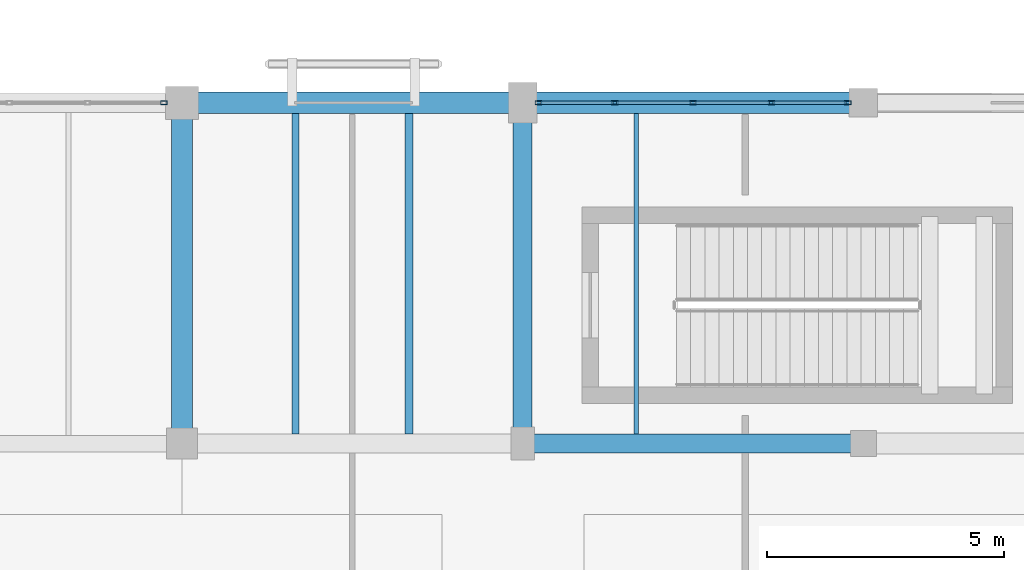
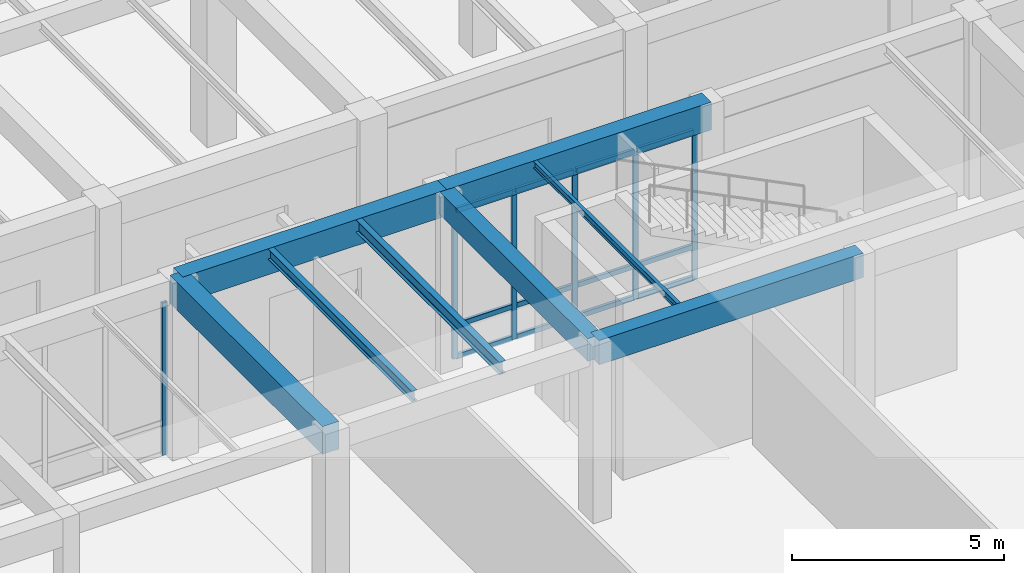
# One storey, part 89 of 169: 18 members, 8 beams, 2 elements without a shape of their own.
"""IFC4 building model written with IfcOpenShell, lengths in metres."""

from ifc_helpers import new_model, si_unit, direction, frame, origin, origin_2d, place, context, subcontext, project, spatial, rectangle, hollow_rectangle, i_section, extrude, material, layer, layer_set, material_profile, profile_set, type_object, element, aggregate, save


model = new_model("IFC4")

# Units and contexts
model_context = context("Model", 3, precision=1e-05, world=origin(), true_north=direction((0.0, 1.0)))
body_context = subcontext(model_context, "Body", "Model", "MODEL_VIEW")
ifc_project = project(units=[si_unit("LENGTHUNIT", "METRE"), si_unit("AREAUNIT", "SQUARE_METRE"), si_unit("VOLUMEUNIT", "CUBIC_METRE"), si_unit("PLANEANGLEUNIT", "RADIAN"), si_unit("MASSUNIT", "GRAM", prefix="KILO")], contexts=[model_context])

# Site, building, storey
site_placement = place(None, origin())
site = spatial("IfcSite", under=ifc_project, at=site_placement, CompositionType="ELEMENT")
building_placement = place(site_placement, origin())
building = spatial("IfcBuilding", under=site, at=building_placement, Name="Mazaris Harbour Polytechnic", CompositionType="ELEMENT")
storey_placement = place(building_placement, origin())
storey = spatial("IfcBuildingStorey", under=building, at=storey_placement, Name="L00", CompositionType="ELEMENT", Elevation=0.0)

# Curtain wall, member
ifc_material_1 = material(Name="Anodised Bronze Aluminium and Low-E Glass", Category="aluminium")
ifc_layer = layer(ifc_material_1, 0.159912109375, Name="Anodised Bronze Aluminium and Low-E Glass")
ifc_layer_set = layer_set([ifc_layer], Name="Anodised Bronze Aluminium and Low-E Glass")
curtain_wall_type = type_object("IfcCurtainWallType", Name="Cloister Court Curtain Wall", PredefinedType="NOTDEFINED", material=ifc_layer_set)
curtain_wall_1_placement = place(storey_placement, origin())
curtain_wall_1 = element("IfcCurtainWall", 1, at=curtain_wall_1_placement, inside=storey, type_object=curtain_wall_type, Name="V2 L00 Curtain Wall 38", PredefinedType="NOTDEFINED")
ifc_material_2 = material(Name="Anodised Bronze Steel S355", Category="steel")
ifc_material_profile_1 = material_profile(ifc_material_2, hollow_rectangle(XDim=0.080078125, YDim=0.139892578125, WallThickness=0.00634765625, at=origin_2d()), Name="RHS 80x140x6.3")
ifc_profile_set_1 = profile_set([ifc_material_profile_1], Name="Anodised Bronze Steel S355")
member_type_1 = type_object("IfcMemberType", Name="Curtain Mullion RHS80x140", PredefinedType="MULLION", material=ifc_profile_set_1)
member_1_placement = place(storey_placement, frame((143.617919921875, 43.199951171875, 0.0), z_axis=(0.0, 0.0, 1.0), x_axis=(0.0, 1.0, 0.0)))
member_1 = element("IfcMember", 2, at=member_1_placement, type_object=member_type_1, Name="CW-02 mullion 5", PredefinedType="MULLION", context=body_context, shape_type="SweptSolid", body=[
    extrude(hollow_rectangle(XDim=0.080078125, YDim=0.139892578125, WallThickness=0.00634765625, at=origin_2d()), origin(), (0.0, 0.0, 1.0), 4.389892578125),
])
aggregate(curtain_wall_1, [member_1])

# Curtain wall, members
curtain_wall_2_placement = place(storey_placement, origin())
curtain_wall_2 = element("IfcCurtainWall", 3, at=curtain_wall_2_placement, inside=storey, type_object=curtain_wall_type, Name="V2 L00 Curtain Wall 39", PredefinedType="NOTDEFINED")
member_2_placement = place(storey_placement, frame((151.531982421875, 43.199951171875, 0.0), z_axis=(0.0, 0.0, 1.0), x_axis=(0.0, 1.0, 0.0)))
member_2 = element("IfcMember", 4, at=member_2_placement, type_object=member_type_1, Name="CW-02 mullion 1", PredefinedType="MULLION", context=body_context, shape_type="SweptSolid", body=[
    extrude(hollow_rectangle(XDim=0.080078125, YDim=0.139892578125, WallThickness=0.00634765625, at=origin_2d()), origin(), (0.0, 0.0, 1.0), 4.2900390625),
])
member_3_placement = place(storey_placement, frame((153.14599609375, 43.199951171875, 0.0), z_axis=(0.0, 0.0, 1.0), x_axis=(0.0, 1.0, 0.0)))
member_3 = element("IfcMember", 5, at=member_3_placement, type_object=member_type_1, Name="CW-02 mullion 2", PredefinedType="MULLION", context=body_context, shape_type="SweptSolid", body=[
    extrude(hollow_rectangle(XDim=0.080078125, YDim=0.139892578125, WallThickness=0.00634765625, at=origin_2d()), origin(), (0.0, 0.0, 1.0), 4.2900390625),
])
member_4_placement = place(storey_placement, frame((154.800048828125, 43.199951171875, 0.0), z_axis=(0.0, 0.0, 1.0), x_axis=(0.0, 1.0, 0.0)))
member_4 = element("IfcMember", 6, at=member_4_placement, type_object=member_type_1, Name="CW-02 mullion 3", PredefinedType="MULLION", context=body_context, shape_type="SweptSolid", body=[
    extrude(hollow_rectangle(XDim=0.080078125, YDim=0.139892578125, WallThickness=0.00634765625, at=origin_2d()), origin(), (0.0, 0.0, 1.0), 4.2900390625),
])
member_5_placement = place(storey_placement, frame((156.4541015625, 43.199951171875, 0.0), z_axis=(0.0, 0.0, 1.0), x_axis=(0.0, 1.0, 0.0)))
member_5 = element("IfcMember", 7, at=member_5_placement, type_object=member_type_1, Name="CW-02 mullion 4", PredefinedType="MULLION", context=body_context, shape_type="SweptSolid", body=[
    extrude(hollow_rectangle(XDim=0.080078125, YDim=0.139892578125, WallThickness=0.00634765625, at=origin_2d()), origin(), (0.0, 0.0, 1.0), 4.2900390625),
])
member_6_placement = place(storey_placement, frame((158.068115234375, 43.199951171875, 0.0), z_axis=(0.0, 0.0, 1.0), x_axis=(0.0, 1.0, 0.0)))
member_6 = element("IfcMember", 8, at=member_6_placement, type_object=member_type_1, Name="CW-02 mullion 5", PredefinedType="MULLION", context=body_context, shape_type="SweptSolid", body=[
    extrude(hollow_rectangle(XDim=0.080078125, YDim=0.139892578125, WallThickness=0.00634765625, at=origin_2d()), origin(), (0.0, 0.0, 1.0), 4.2900390625),
])
ifc_material_3 = material(Name="Anodised Bronze Steel S355", Category="steel")
ifc_material_profile_2 = material_profile(ifc_material_3, hollow_rectangle(XDim=0.080078125, YDim=0.139892578125, WallThickness=0.00634765625, at=origin_2d()), Name="RHS 80x140x6.3")
ifc_profile_set_2 = profile_set([ifc_material_profile_2], Name="Anodised Bronze Steel S355")
member_type_2 = type_object("IfcMemberType", Name="Curtain Transom RHS80x140", PredefinedType="USERDEFINED", material=ifc_profile_set_2)
member_7_placement = place(storey_placement, frame((151.572021484375, 43.199951171875, 0.0400390625), z_axis=(1.0, 0.0, 0.0), x_axis=(0.0, 1.0, 0.0)))
member_7 = element("IfcMember", 9, at=member_7_placement, type_object=member_type_2, Name="CW-02 transom 1.1", ObjectType="TRANSOM", PredefinedType="USERDEFINED", context=body_context, shape_type="SweptSolid", body=[
    extrude(hollow_rectangle(XDim=0.080078125, YDim=0.139892578125, WallThickness=0.00634765625, at=origin_2d()), origin(), (0.0, 0.0, 1.0), 1.533935546875),
])
member_8_placement = place(storey_placement, frame((151.572021484375, 43.199951171875, 0.949951171875), z_axis=(1.0, 0.0, 0.0), x_axis=(0.0, 1.0, 0.0)))
member_8 = element("IfcMember", 10, at=member_8_placement, type_object=member_type_2, Name="CW-02 transom 1.2", ObjectType="TRANSOM", PredefinedType="USERDEFINED", context=body_context, shape_type="SweptSolid", body=[
    extrude(hollow_rectangle(XDim=0.080078125, YDim=0.139892578125, WallThickness=0.00634765625, at=origin_2d()), origin(), (0.0, 0.0, 1.0), 1.533935546875),
])
member_9_placement = place(storey_placement, frame((151.572021484375, 43.199951171875, 4.25), z_axis=(1.0, 0.0, 0.0), x_axis=(0.0, 1.0, 0.0)))
member_9 = element("IfcMember", 11, at=member_9_placement, type_object=member_type_2, Name="CW-02 transom 1.3", ObjectType="TRANSOM", PredefinedType="USERDEFINED", context=body_context, shape_type="SweptSolid", body=[
    extrude(hollow_rectangle(XDim=0.080078125, YDim=0.139892578125, WallThickness=0.00634765625, at=origin_2d()), origin(), (0.0, 0.0, 1.0), 1.533935546875),
])
member_10_placement = place(storey_placement, frame((153.18603515625, 43.199951171875, 0.0400390625), z_axis=(1.0, 0.0, 0.0), x_axis=(0.0, 1.0, 0.0)))
member_10 = element("IfcMember", 12, at=member_10_placement, type_object=member_type_2, Name="CW-02 transom 2.1", ObjectType="TRANSOM", PredefinedType="USERDEFINED", context=body_context, shape_type="SweptSolid", body=[
    extrude(hollow_rectangle(XDim=0.080078125, YDim=0.139892578125, WallThickness=0.00634765625, at=origin_2d()), origin(), (0.0, 0.0, 1.0), 1.573974609375),
])
member_11_placement = place(storey_placement, frame((153.18603515625, 43.199951171875, 0.949951171875), z_axis=(1.0, 0.0, 0.0), x_axis=(0.0, 1.0, 0.0)))
member_11 = element("IfcMember", 13, at=member_11_placement, type_object=member_type_2, Name="CW-02 transom 2.2", ObjectType="TRANSOM", PredefinedType="USERDEFINED", context=body_context, shape_type="SweptSolid", body=[
    extrude(hollow_rectangle(XDim=0.080078125, YDim=0.139892578125, WallThickness=0.00634765625, at=origin_2d()), origin(), (0.0, 0.0, 1.0), 1.573974609375),
])
member_12_placement = place(storey_placement, frame((153.18603515625, 43.199951171875, 4.25), z_axis=(1.0, 0.0, 0.0), x_axis=(0.0, 1.0, 0.0)))
member_12 = element("IfcMember", 14, at=member_12_placement, type_object=member_type_2, Name="CW-02 transom 2.3", ObjectType="TRANSOM", PredefinedType="USERDEFINED", context=body_context, shape_type="SweptSolid", body=[
    extrude(hollow_rectangle(XDim=0.080078125, YDim=0.139892578125, WallThickness=0.00634765625, at=origin_2d()), origin(), (0.0, 0.0, 1.0), 1.573974609375),
])
member_13_placement = place(storey_placement, frame((154.840087890625, 43.199951171875, 0.0400390625), z_axis=(1.0, 0.0, 0.0), x_axis=(0.0, 1.0, 0.0)))
member_13 = element("IfcMember", 15, at=member_13_placement, type_object=member_type_2, Name="CW-02 transom 3.1", ObjectType="TRANSOM", PredefinedType="USERDEFINED", context=body_context, shape_type="SweptSolid", body=[
    extrude(hollow_rectangle(XDim=0.080078125, YDim=0.139892578125, WallThickness=0.00634765625, at=origin_2d()), origin(), (0.0, 0.0, 1.0), 1.573974609375),
])
member_14_placement = place(storey_placement, frame((154.840087890625, 43.199951171875, 0.949951171875), z_axis=(1.0, 0.0, 0.0), x_axis=(0.0, 1.0, 0.0)))
member_14 = element("IfcMember", 16, at=member_14_placement, type_object=member_type_2, Name="CW-02 transom 3.2", ObjectType="TRANSOM", PredefinedType="USERDEFINED", context=body_context, shape_type="SweptSolid", body=[
    extrude(hollow_rectangle(XDim=0.080078125, YDim=0.139892578125, WallThickness=0.00634765625, at=origin_2d()), origin(), (0.0, 0.0, 1.0), 1.573974609375),
])
member_15_placement = place(storey_placement, frame((154.840087890625, 43.199951171875, 4.25), z_axis=(1.0, 0.0, 0.0), x_axis=(0.0, 1.0, 0.0)))
member_15 = element("IfcMember", 17, at=member_15_placement, type_object=member_type_2, Name="CW-02 transom 3.3", ObjectType="TRANSOM", PredefinedType="USERDEFINED", context=body_context, shape_type="SweptSolid", body=[
    extrude(hollow_rectangle(XDim=0.080078125, YDim=0.139892578125, WallThickness=0.00634765625, at=origin_2d()), origin(), (0.0, 0.0, 1.0), 1.573974609375),
])
member_16_placement = place(storey_placement, frame((156.493896484375, 43.199951171875, 0.0400390625), z_axis=(1.0, 0.0, 0.0), x_axis=(0.0, 1.0, 0.0)))
member_16 = element("IfcMember", 18, at=member_16_placement, type_object=member_type_2, Name="CW-02 transom 4.1", ObjectType="TRANSOM", PredefinedType="USERDEFINED", context=body_context, shape_type="SweptSolid", body=[
    extrude(hollow_rectangle(XDim=0.080078125, YDim=0.139892578125, WallThickness=0.00634765625, at=origin_2d()), origin(), (0.0, 0.0, 1.0), 1.5341796875),
])
member_17_placement = place(storey_placement, frame((156.493896484375, 43.199951171875, 0.949951171875), z_axis=(1.0, 0.0, 0.0), x_axis=(0.0, 1.0, 0.0)))
member_17 = element("IfcMember", 19, at=member_17_placement, type_object=member_type_2, Name="CW-02 transom 4.2", ObjectType="TRANSOM", PredefinedType="USERDEFINED", context=body_context, shape_type="SweptSolid", body=[
    extrude(hollow_rectangle(XDim=0.080078125, YDim=0.139892578125, WallThickness=0.00634765625, at=origin_2d()), origin(), (0.0, 0.0, 1.0), 1.5341796875),
])
member_18_placement = place(storey_placement, frame((156.493896484375, 43.199951171875, 4.25), z_axis=(1.0, 0.0, 0.0), x_axis=(0.0, 1.0, 0.0)))
member_18 = element("IfcMember", 20, at=member_18_placement, type_object=member_type_2, Name="CW-02 transom 4.3", ObjectType="TRANSOM", PredefinedType="USERDEFINED", context=body_context, shape_type="SweptSolid", body=[
    extrude(hollow_rectangle(XDim=0.080078125, YDim=0.139892578125, WallThickness=0.00634765625, at=origin_2d()), origin(), (0.0, 0.0, 1.0), 1.5341796875),
])
aggregate(curtain_wall_2, [member_2, member_3, member_4, member_5, member_6, member_7, member_8, member_9, member_10, member_11, member_12, member_13, member_14, member_15, member_16, member_17, member_18])

# Beams
ifc_material_4 = material(Name="Concrete C35/45", Category="concrete")
ifc_material_profile_3 = material_profile(ifc_material_4, rectangle(XDim=0.39990234375, YDim=0.64990234375, at=origin_2d()), Name="RECT400x650")
ifc_profile_set_3 = profile_set([ifc_material_profile_3], Name="Concrete C35/45")
beam_type_1 = type_object("IfcBeamType", Name="RC Girder 400x650", PredefinedType="BEAM", material=ifc_profile_set_3)
beam_1_placement = place(storey_placement, frame((151.199951171875, 36.0, 4.77490234375), z_axis=(0.0, 1.0, 0.0), x_axis=(-1.0, 0.0, 0.0)))
element("IfcBeam", 21, at=beam_1_placement, inside=storey, type_object=beam_type_1, Name="V2 L00 Tie Girder 466", PredefinedType="BEAM", context=body_context, shape_type="SweptSolid", body=[
    extrude(rectangle(XDim=0.39990234375, YDim=0.64990234375, at=origin_2d()), origin(), (0.0, 0.0, 1.0), 7.199951171875),
])
ifc_material_5 = material(Name="Concrete C35/45", Category="concrete")
ifc_material_profile_4 = material_profile(ifc_material_5, rectangle(XDim=0.39990234375, YDim=0.699951171875, at=origin_2d()), Name="RECT400x700")
ifc_profile_set_4 = profile_set([ifc_material_profile_4], Name="Concrete C35/45")
beam_type_2 = type_object("IfcBeamType", Name="RC Girder 400x700", PredefinedType="BEAM", material=ifc_profile_set_4)
beam_2_placement = place(storey_placement, frame((151.199951171875, 36.0, 4.75), z_axis=(1.0, 0.0, 0.0), x_axis=(0.0, 1.0, 0.0)))
element("IfcBeam", 22, at=beam_2_placement, inside=storey, type_object=beam_type_2, Name="V2 L00 Girder 442", PredefinedType="BEAM", context=body_context, shape_type="SweptSolid", body=[
    extrude(rectangle(XDim=0.39990234375, YDim=0.699951171875, at=origin_2d()), origin(), (0.0, 0.0, 1.0), 7.199951171875),
])
ifc_material_6 = material(Name="Concrete C40/50", Category="concrete")
ifc_material_profile_5 = material_profile(ifc_material_6, rectangle(XDim=0.449951171875, YDim=0.75, at=origin_2d()), Name="RECT450x750")
ifc_profile_set_5 = profile_set([ifc_material_profile_5], Name="Concrete C40/50")
beam_type_3 = type_object("IfcBeamType", Name="RC Girder 450x750 Exterior", PredefinedType="BEAM", material=ifc_profile_set_5)
beam_3_placement = place(storey_placement, frame((144.0, 43.199951171875, 4.72509765625), z_axis=(1.0, 0.0, 0.0), x_axis=(0.0, 1.0, 0.0)))
element("IfcBeam", 23, at=beam_3_placement, inside=storey, type_object=beam_type_3, Name="V2 L00 Girder 448", PredefinedType="BEAM", context=body_context, shape_type="SweptSolid", body=[
    extrude(rectangle(XDim=0.449951171875, YDim=0.75, at=origin_2d()), origin(), (0.0, 0.0, 1.0), 7.199951171875),
])
ifc_material_7 = material(Name="Concrete C40/50", Category="concrete")
ifc_material_profile_6 = material_profile(ifc_material_7, rectangle(XDim=0.449951171875, YDim=0.800048828125, at=origin_2d()), Name="RECT450x800")
ifc_profile_set_6 = profile_set([ifc_material_profile_6], Name="Concrete C40/50")
beam_type_4 = type_object("IfcBeamType", Name="RC Girder 450x800", PredefinedType="BEAM", material=ifc_profile_set_6)
beam_4_placement = place(storey_placement, frame((144.0, 36.0, 4.699951171875), z_axis=(0.0, 1.0, 0.0), x_axis=(-1.0, 0.0, 0.0)))
element("IfcBeam", 24, at=beam_4_placement, inside=storey, type_object=beam_type_4, Name="V2 L00 Tie Girder 464", PredefinedType="BEAM", context=body_context, shape_type="SweptSolid", body=[
    extrude(rectangle(XDim=0.449951171875, YDim=0.800048828125, at=origin_2d()), origin(), (0.0, 0.0, 1.0), 7.199951171875),
])
ifc_material_8 = material(Name="Concrete C40/50", Category="concrete")
ifc_material_profile_7 = material_profile(ifc_material_8, rectangle(XDim=0.449951171875, YDim=0.800048828125, at=origin_2d()), Name="RECT450x800")
ifc_profile_set_7 = profile_set([ifc_material_profile_7], Name="Concrete C40/50")
beam_type_5 = type_object("IfcBeamType", Name="RC Girder 450x800 Exterior", PredefinedType="BEAM", material=ifc_profile_set_7)
beam_5_placement = place(storey_placement, frame((151.199951171875, 43.199951171875, 4.699951171875), z_axis=(1.0, 0.0, 0.0), x_axis=(0.0, 1.0, 0.0)))
element("IfcBeam", 25, at=beam_5_placement, inside=storey, type_object=beam_type_5, Name="V2 L00 Girder 449", PredefinedType="BEAM", context=body_context, shape_type="SweptSolid", body=[
    extrude(rectangle(XDim=0.449951171875, YDim=0.800048828125, at=origin_2d()), origin(), (0.0, 0.0, 1.0), 7.199951171875),
])
ifc_material_9 = material(Name="Steel S355", Category="steel")
ifc_material_profile_8 = material_profile(ifc_material_9, i_section(OverallWidth=0.10009765625, OverallDepth=0.199951171875, WebThickness=0.005615234375, FlangeThickness=0.008544921875, FilletRadius=0.011962890625, at=origin_2d()), Name="IPE 200")
ifc_profile_set_8 = profile_set([ifc_material_profile_8], Name="Steel S355")
beam_type_6 = type_object("IfcBeamType", Name="Steel Joist IPE200", PredefinedType="JOIST", material=ifc_profile_set_8)
beam_6_placement = place(storey_placement, frame((153.60009765625, 36.199951171875, 5.0), z_axis=(0.0, 1.0, 0.0), x_axis=(-1.0, 0.0, 0.0)))
element("IfcBeam", 26, at=beam_6_placement, inside=storey, type_object=beam_type_6, Name="V2 L00 Floor Joist 497", PredefinedType="JOIST", context=body_context, shape_type="SweptSolid", body=[
    extrude(i_section(OverallWidth=0.10009765625, OverallDepth=0.199951171875, WebThickness=0.005615234375, FlangeThickness=0.008544921875, FilletRadius=0.011962890625, at=origin_2d()), origin(), (0.0, 0.0, 1.0), 6.775146484375),
])
ifc_material_10 = material(Name="Steel S355", Category="steel")
ifc_material_profile_9 = material_profile(ifc_material_10, i_section(OverallWidth=0.14990234375, OverallDepth=0.300048828125, WebThickness=0.007080078125, FlangeThickness=0.0107421875, FilletRadius=0.014892578125, at=origin_2d()), Name="IPE 300")
ifc_profile_set_9 = profile_set([ifc_material_profile_9], Name="Steel S355")
beam_type_7 = type_object("IfcBeamType", Name="Steel Joist IPE300", PredefinedType="JOIST", material=ifc_profile_set_9)
beam_7_placement = place(storey_placement, frame((146.39990234375, 36.199951171875, 4.949951171875), z_axis=(0.0, 1.0, 0.0), x_axis=(-1.0, 0.0, 0.0)))
element("IfcBeam", 27, at=beam_7_placement, inside=storey, type_object=beam_type_7, Name="V2 L00 Floor Joist 493", PredefinedType="JOIST", context=body_context, shape_type="SweptSolid", body=[
    extrude(i_section(OverallWidth=0.14990234375, OverallDepth=0.300048828125, WebThickness=0.007080078125, FlangeThickness=0.0107421875, FilletRadius=0.014892578125, at=origin_2d()), origin(), (0.0, 0.0, 1.0), 6.775146484375),
])
ifc_material_11 = material(Name="Steel S355", Category="steel")
ifc_material_profile_10 = material_profile(ifc_material_11, i_section(OverallWidth=0.169921875, OverallDepth=0.360107421875, WebThickness=0.008056640625, FlangeThickness=0.0126953125, FilletRadius=0.01806640625, at=origin_2d()), Name="IPE 360")
ifc_profile_set_10 = profile_set([ifc_material_profile_10], Name="Steel S355")
beam_type_8 = type_object("IfcBeamType", Name="Steel Joist IPE360", PredefinedType="JOIST", material=ifc_profile_set_10)
beam_8_placement = place(storey_placement, frame((148.800048828125, 36.199951171875, 4.919921875), z_axis=(0.0, 1.0, 0.0), x_axis=(-1.0, 0.0, 0.0)))
element("IfcBeam", 28, at=beam_8_placement, inside=storey, type_object=beam_type_8, Name="V2 L00 Floor Joist 494", PredefinedType="JOIST", context=body_context, shape_type="SweptSolid", body=[
    extrude(i_section(OverallWidth=0.169921875, OverallDepth=0.360107421875, WebThickness=0.008056640625, FlangeThickness=0.0126953125, FilletRadius=0.01806640625, at=origin_2d()), origin(), (0.0, 0.0, 1.0), 6.775146484375),
])

save(model, "model.ifc")
